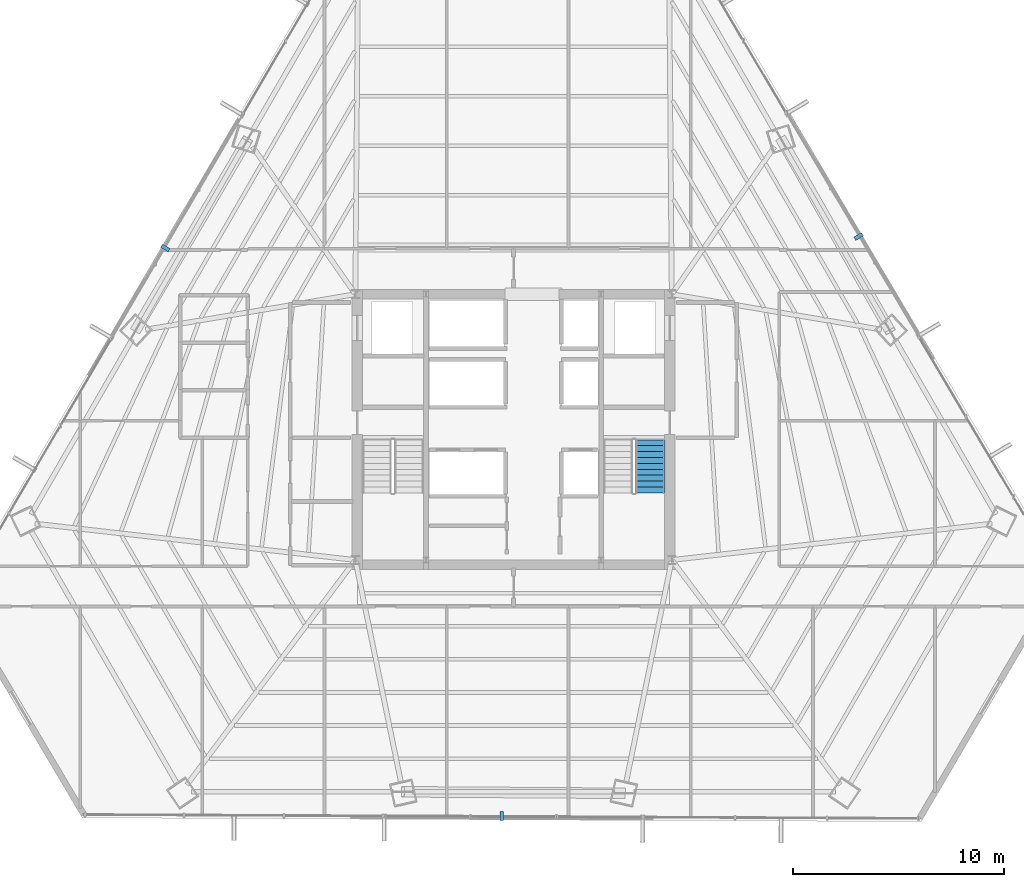
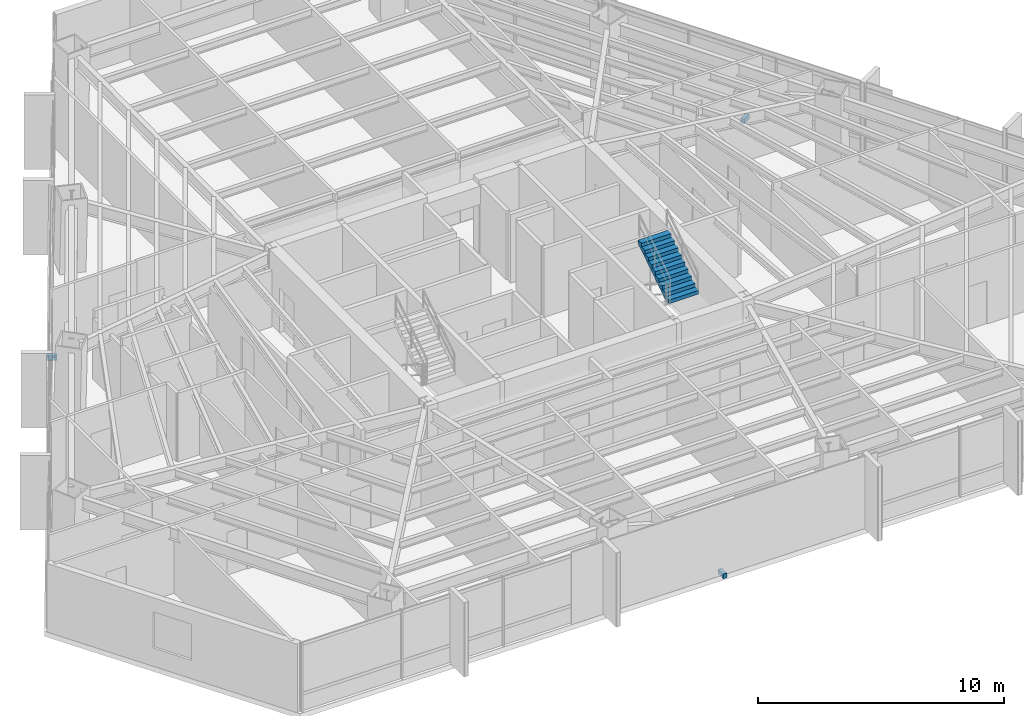
# One storey, part 33 of 37: 3 discrete accessories, 1 stair flight, 1 element without a shape of its own.
"""IFC4 building model written with IfcOpenShell, lengths in metres."""

import ifcopenshell
import ifcopenshell.guid

model = None  # the IFC model being written
_history = None  # IfcOwnerHistory: only IFC2X3 demands one
_inside = {}  # id of a spatial element -> (the spatial element, [elements in it])
_under = {}  # id of a project, library or spatial element -> (it, [spatial elements below it])
_declared = {}  # id of a project -> (the project, [libraries it declares])
_typed = {}  # id of a type object -> (the type object, [elements of that type])
_made_of = {}  # id of a material, layer set ... -> (it, [elements and type objects made of it])


def new_model(schema):
    """Start an empty IFC model of exactly this schema.

    Asked for "IFC4X3", IfcOpenShell would pick the latest addendum, in which some entities
    have other attributes; the version numbers below select the first issue.
    IFC2X3 requires an IfcOwnerHistory on every rooted entity: one is made here for all.
    """
    global model, _history
    if schema == "IFC4X3":
        model = ifcopenshell.file(schema_version=(4, 3, 0, 0))
    else:
        model = ifcopenshell.file(schema=schema)
    _inside.clear()
    _under.clear()
    _declared.clear()
    _typed.clear()
    _made_of.clear()
    _history = None
    if model.schema == "IFC2X3":
        org = make("IfcOrganization", Name="unknown")
        user = make(
            "IfcPersonAndOrganization",
            ThePerson=make("IfcPerson", FamilyName="unknown"),
            TheOrganization=org,
        )
        app = make(
            "IfcApplication",
            ApplicationDeveloper=org,
            Version="unknown",
            ApplicationFullName="unknown",
            ApplicationIdentifier="unknown",
        )
        _history = make(
            "IfcOwnerHistory",
            OwningUser=user,
            OwningApplication=app,
            ChangeAction="ADDED",
            CreationDate=0,
        )
    return model


def make(cls, **values):
    """One entity of the class cls with the attributes given. An attribute that is None is left unset."""
    return model.create_entity(
        cls, **{name: value for name, value in values.items() if value is not None}
    )


def rooted(cls, **values):
    """An entity with a GlobalId (a new one), such as an element, a storey or a relation."""
    return make(cls, GlobalId=ifcopenshell.guid.new(), OwnerHistory=_history, **values)


def si_unit(unit_type, name, prefix=None):
    """IfcSIUnit, for example si_unit("LENGTHUNIT", "METRE", prefix="MILLI")."""
    return make("IfcSIUnit", UnitType=unit_type, Prefix=prefix, Name=name)


def assignment(units):
    """IfcUnitAssignment: the units of a project."""
    return None if units is None else make("IfcUnitAssignment", Units=units)


def point(xyz):
    """IfcCartesianPoint."""
    return None if xyz is None else make("IfcCartesianPoint", Coordinates=xyz)


def direction(xyz):
    """IfcDirection."""
    return None if xyz is None else make("IfcDirection", DirectionRatios=xyz)


def frame(location, z_axis=None, x_axis=None):
    """IfcAxis2Placement3D, a coordinate frame: its origin and axes. An axis left out is left unset."""
    return make(
        "IfcAxis2Placement3D",
        Location=point(location),
        Axis=direction(z_axis),
        RefDirection=direction(x_axis),
    )


def frame_2d(location, x_axis=None):
    """IfcAxis2Placement2D, a coordinate frame in the plane: its origin and x axis."""
    return make(
        "IfcAxis2Placement2D", Location=point(location), RefDirection=direction(x_axis)
    )


def origin():
    """The frame at (0, 0, 0) with its axes left unset."""
    return frame((0.0, 0.0, 0.0))


def origin_2d():
    """The frame at (0, 0) in the plane with its x axis left unset."""
    return frame_2d((0.0, 0.0))


def place(relative_to, where):
    """IfcLocalPlacement: puts the frame where relative to a parent placement (None: the world)."""
    return make(
        "IfcLocalPlacement", PlacementRelTo=relative_to, RelativePlacement=where
    )


def context(
    kind, dimensions, precision=None, world=None, true_north=None, identifier=None
):
    """IfcGeometricRepresentationContext, for example the 3D "Model" context."""
    return make(
        "IfcGeometricRepresentationContext",
        ContextIdentifier=identifier,
        ContextType=kind,
        CoordinateSpaceDimension=dimensions,
        Precision=precision,
        WorldCoordinateSystem=world,
        TrueNorth=true_north,
    )


def subcontext(parent, identifier, kind, view, scale=None):
    """IfcGeometricRepresentationSubContext, for example "Body" below "Model"."""
    return make(
        "IfcGeometricRepresentationSubContext",
        ContextIdentifier=identifier,
        ContextType=kind,
        ParentContext=parent,
        TargetScale=scale,
        TargetView=view,
    )


def project(units=None, contexts=None):
    """IfcProject with its units and contexts."""
    return rooted(
        "IfcProject",
        Name="project",
        RepresentationContexts=contexts,
        UnitsInContext=assignment(units),
    )


def spatial(cls, under=None, at=None, **own):
    """A site, building, storey or space (cls), placed at a placement, below another one or the project."""
    s = rooted(cls, ObjectPlacement=at, **own)
    if under is not None:
        _under.setdefault(under.id(), (under, []))[1].append(s)
    return s


def polyline(points):
    """IfcPolyline through the points."""
    return make("IfcPolyline", Points=[point(p) for p in points])


def profile(cls, at=None, kind="AREA", **sizes):
    """A parametric profile (cls). Its sizes go by their IFC names, for example OverallWidth=200.0."""
    return make(cls, ProfileType=kind, Position=at, **sizes)


def rectangle(**sizes):
    """IfcRectangleProfileDef."""
    return profile("IfcRectangleProfileDef", **sizes)


def outline(outer, holes=None, kind="AREA"):
    """IfcArbitraryClosedProfileDef: a profile drawn as a closed curve; with holes, ...WithVoids."""
    if holes is None:
        return make("IfcArbitraryClosedProfileDef", ProfileType=kind, OuterCurve=outer)
    return make(
        "IfcArbitraryProfileDefWithVoids",
        ProfileType=kind,
        OuterCurve=outer,
        InnerCurves=holes,
    )


def extrude(swept, where, along, depth):
    """IfcExtrudedAreaSolid: the profile swept, set in the frame where, extruded along a direction by depth."""
    return make(
        "IfcExtrudedAreaSolid",
        SweptArea=swept,
        Position=where,
        ExtrudedDirection=direction(along),
        Depth=depth,
    )


def shape(context_of_items, identifier, shape_type, items):
    """IfcShapeRepresentation: the items that make up one representation, for example the "Body"."""
    return make(
        "IfcShapeRepresentation",
        ContextOfItems=context_of_items,
        RepresentationIdentifier=identifier,
        RepresentationType=shape_type,
        Items=items,
    )


def source(mapping_origin, context_of_items, identifier, shape_type, items):
    """IfcRepresentationMap: a shape defined once, which mapped items show again and again."""
    return make(
        "IfcRepresentationMap",
        MappingOrigin=mapping_origin,
        MappedRepresentation=shape(context_of_items, identifier, shape_type, items),
    )


def transform(
    local_origin,
    x_axis=None,
    y_axis=None,
    z_axis=None,
    scale=None,
    scale2=None,
    scale3=None,
    uniform=True,
):
    """IfcCartesianTransformationOperator3D, or its non-uniform kind. x_axis, y_axis, z_axis: its Axis1, 2, 3."""
    if uniform:
        return make(
            "IfcCartesianTransformationOperator3D",
            Axis1=direction(x_axis),
            Axis2=direction(y_axis),
            LocalOrigin=point(local_origin),
            Scale=scale,
            Axis3=direction(z_axis),
        )
    return make(
        "IfcCartesianTransformationOperator3DnonUniform",
        Axis1=direction(x_axis),
        Axis2=direction(y_axis),
        LocalOrigin=point(local_origin),
        Scale=scale,
        Axis3=direction(z_axis),
        Scale2=scale2,
        Scale3=scale3,
    )


def mapped(mapping_source, mapping_target):
    """IfcMappedItem: shows the shape of a source again, moved by a transform."""
    return make(
        "IfcMappedItem", MappingSource=mapping_source, MappingTarget=mapping_target
    )


def material(Name=None, Category=None):
    """IfcMaterial."""
    return make("IfcMaterial", Name=Name, Category=Category)


def made_of(thing, what):
    """Note that an element or type object is made of a material, layer set ...; save() writes the relation."""
    if what is not None:
        _made_of.setdefault(what.id(), (what, []))[1].append(thing)
    return thing


def type_object(cls, material=None, **own):
    """A type object (cls), such as IfcWallType, which elements share."""
    return made_of(rooted(cls, **own), material)


def type_shapes(of_type, sources):
    """Give a type object the sources (RepresentationMaps) that its elements show as mapped items."""
    of_type.RepresentationMaps = sources


def element(
    cls,
    number,
    at=None,
    inside=None,
    cuts=None,
    type_object=None,
    material=None,
    context=None,
    identifier="Body",
    shape_type=None,
    held_by="IfcProductDefinitionShape",
    body=None,
    shapes=None,
    **own,
):
    """One element of the class cls, such as IfcWall. Its Tag is "e" and its number.

    at: its placement. inside: the storey or other place that contains it. cuts: it is an
    opening in that element (IfcRelVoidsElement). A single representation is given by context,
    identifier, shape_type and body (its items); several are given by shapes. held_by: the class
    of the entity that holds the representations. save() writes the other relations.
    """
    e = rooted(cls, Tag="e%d" % number, ObjectPlacement=at, **own)
    if body is not None:
        shapes = [shape(context, identifier, shape_type, body)]
    if shapes is not None:
        e.Representation = make(held_by, Representations=shapes)
    if inside is not None:
        _inside.setdefault(inside.id(), (inside, []))[1].append(e)
    if cuts is not None:
        rooted(
            "IfcRelVoidsElement", RelatingBuildingElement=cuts, RelatedOpeningElement=e
        )
    if type_object is not None:
        _typed.setdefault(type_object.id(), (type_object, []))[1].append(e)
    return made_of(e, material)


def aggregate(whole, parts):
    """IfcRelAggregates: a whole, such as a stair, and the parts it consists of."""
    return rooted("IfcRelAggregates", RelatingObject=whole, RelatedObjects=parts)


def save(model, path):
    """Write the relations noted so far, then the file.

    IfcRelAggregates (storeys below a building ...), IfcRelContainedInSpatialStructure (elements
    in a storey), IfcRelDefinesByType, IfcRelAssociatesMaterial and IfcRelDeclares: one each for
    every whole, place, type object, material and project.
    """
    for whole, parts in _under.values():
        aggregate(whole, parts)
    for where, things in _inside.values():
        rooted(
            "IfcRelContainedInSpatialStructure",
            RelatedElements=things,
            RelatingStructure=where,
        )
    for kind, things in _typed.values():
        rooted("IfcRelDefinesByType", RelatedObjects=things, RelatingType=kind)
    for what, things in _made_of.values():
        rooted("IfcRelAssociatesMaterial", RelatedObjects=things, RelatingMaterial=what)
    for by, libraries in _declared.values():
        rooted("IfcRelDeclares", RelatingContext=by, RelatedDefinitions=libraries)
    model.write(path)


model = new_model("IFC4")

# Units and contexts
model_context = context("Model", 3, precision=1e-05, world=origin(), true_north=direction((0.0, 1.0)))
body_context = subcontext(model_context, "Body", "Model", "MODEL_VIEW")
ifc_project = project(units=[si_unit("LENGTHUNIT", "METRE"), si_unit("AREAUNIT", "SQUARE_METRE"), si_unit("VOLUMEUNIT", "CUBIC_METRE"), si_unit("PLANEANGLEUNIT", "RADIAN"), si_unit("MASSUNIT", "GRAM", prefix="KILO")], contexts=[model_context])

# Site, building, storey
site_placement = place(None, origin())
site = spatial("IfcSite", under=ifc_project, at=site_placement, CompositionType="ELEMENT")
building_placement = place(site_placement, origin())
building = spatial("IfcBuilding", under=site, at=building_placement, Name="Caelisora Broadcast Tower", CompositionType="ELEMENT")
storey_placement = place(building_placement, frame((0.0, 0.0, 105.39990234375)))
storey = spatial("IfcBuildingStorey", under=building, at=storey_placement, Name="L27", CompositionType="ELEMENT", Elevation=105.39990234375)

# Stair, stair flight
ifc_material_1 = material(Name="Concrete 40 MPa (AS 3600 N40)", Category="concrete")
stair_type = type_object("IfcStairType", Name="ST-2", PredefinedType="HALF_TURN_STAIR", material=ifc_material_1)
stair_placement = place(storey_placement, origin())
stair = element("IfcStair", 1, at=stair_placement, inside=storey, type_object=stair_type, Name="L27 East Fire-Isolated Tower Stair", PredefinedType="HALF_TURN_STAIR")
stair_flight_type = type_object("IfcStairFlightType", Name="STF-2", PredefinedType="STRAIGHT", material=ifc_material_1)
stair_flight_placement = place(storey_placement, frame((44.47998046875, 20.580078125, 1.8251953125), z_axis=(0.0, 0.0, 1.0), x_axis=(0.0, 1.0, 0.0)))
stair_flight = element("IfcStairFlight", 2, at=stair_flight_placement, type_object=stair_flight_type, Name="ST-2 flight 2", NumberOfRisers=10, NumberOfTreads=9, PredefinedType="STRAIGHT", RiserHeight=0.1825, TreadLength=0.28, context=body_context, shape_type="SweptSolid", body=[
    extrude(outline(polyline([(0.0, 0.0), (0.0, 0.1826171875), (0.280029296875, 0.1826171875), (0.280029296875, 0.364990234375), (0.56005859375, 0.364990234375), (0.56005859375, 0.547607421875), (0.840087890625, 0.547607421875), (0.840087890625, 0.72998046875), (1.1201171875, 0.72998046875), (1.1201171875, 0.91259765625), (1.39990234375, 0.91259765625), (1.39990234375, 1.094970703125), (1.679931640625, 1.094970703125), (1.679931640625, 1.277587890625), (1.9599609375, 1.277587890625), (1.9599609375, 1.4599609375), (2.239990234375, 1.4599609375), (2.239990234375, 1.642578125), (2.52001953125, 1.642578125), (2.52001953125, 1.824951171875), (2.52001953125, 1.463623046875), (0.2744140625, 0.0), (0.0, 0.0)])), frame((0.0, 0.699951171875, 0.0), z_axis=(0.0, -1.0, 0.0), x_axis=(1.0, 0.0, 0.0)), (0.0, 0.0, 1.0), 1.39990234375),
])
aggregate(stair, [stair_flight])

# Discrete accessories
ifc_material_2 = material(Name="Steel Grade 350 (AS/NZS 3679.1)", Category="steel")
discrete_accessory_type = type_object("IfcDiscreteAccessoryType", Name="BRK-1", PredefinedType="BRACKET", material=ifc_material_2)
shared_shape = source(origin(), body_context, "Body", "SweptSolid", [
    extrude(rectangle(XDim=0.179931640625, YDim=0.419921875, at=origin_2d()), origin(), (0.0, 0.0, 1.0), 0.219970703125),
])
type_shapes(discrete_accessory_type, [shared_shape])
for number, where, z_axis, x_axis, name in (
    (3, (21.494873046875, 32.19091796875, -0.15966796875), (0.0, 0.0, 1.0), (-0.505431492718, -0.862866737202, 0.0), "L27 solar screen outrigger bracket #1"),
    (4, (37.44140625, 5.264892578125, -0.15966796875), (0.0, 0.0, 1.0), (0.999989703949, -0.004537840481, 0.0), "L27 solar screen outrigger bracket #2"),
    (5, (54.359130859375, 32.73388671875, -0.15966796875), (0.0, 0.0, 1.0), (-0.509492029423, 0.860475375565, 0.0), "L27 solar screen outrigger bracket #3"),
):
    element("IfcDiscreteAccessory", number, at=place(storey_placement, frame(where, z_axis=z_axis, x_axis=x_axis)), inside=storey, type_object=discrete_accessory_type, Name=name, PredefinedType="BRACKET", context=body_context, shape_type="MappedRepresentation", body=[
        mapped(shared_shape, transform((0.0, 0.0, 0.0), scale=1.0)),
    ])

save(model, "model.ifc")
